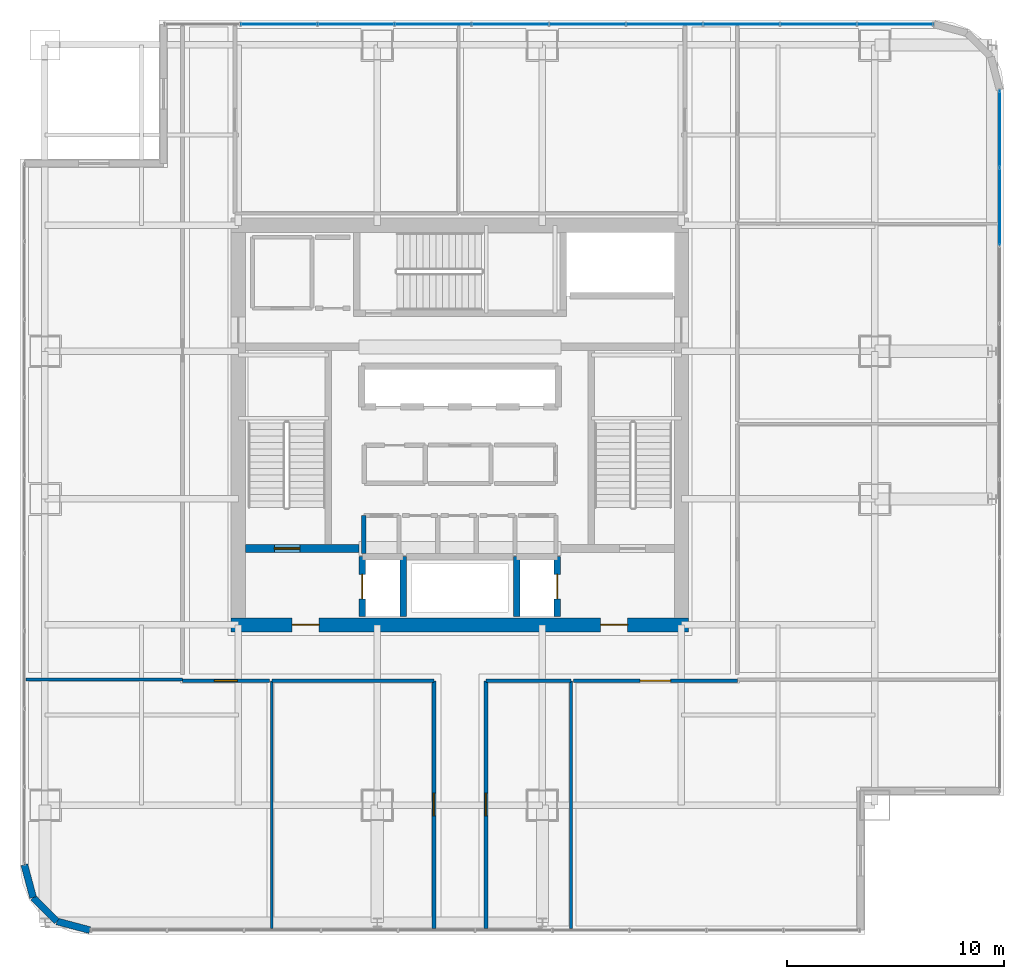
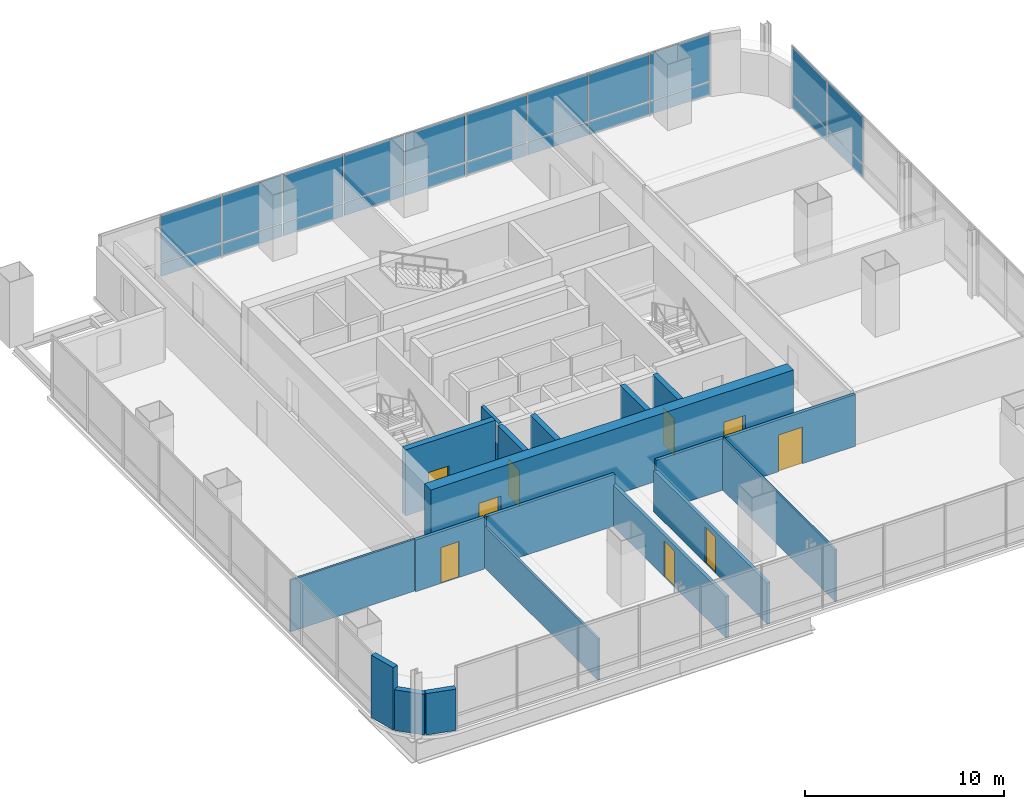
# One storey, part 29 of 36: 22 plates, 19 walls, 9 doors, 9 openings, 2 elements without a shape of their own.
"""IFC4 building model written with IfcOpenShell, lengths in metres."""

from ifc_helpers import new_model, si_unit, direction, frame, frame_2d, origin, origin_2d, place, context, subcontext, project, spatial, rectangle, extrude, material, layer, layer_set, type_object, element, fill, aggregate, save


model = new_model("IFC4")

# Units and contexts
model_context = context("Model", 3, precision=1e-05, world=origin(), true_north=direction((0.0, 1.0)))
body_context = subcontext(model_context, "Body", "Model", "MODEL_VIEW")
ifc_project = project(units=[si_unit("LENGTHUNIT", "METRE"), si_unit("AREAUNIT", "SQUARE_METRE"), si_unit("VOLUMEUNIT", "CUBIC_METRE"), si_unit("PLANEANGLEUNIT", "RADIAN"), si_unit("MASSUNIT", "GRAM", prefix="KILO")], contexts=[model_context])

# Site, building, storey
site_placement = place(None, origin())
site = spatial("IfcSite", under=ifc_project, at=site_placement, CompositionType="ELEMENT")
building_placement = place(site_placement, origin())
building = spatial("IfcBuilding", under=site, at=building_placement, Name="Punatoya Terracotta Tower", CompositionType="ELEMENT")
storey_placement = place(building_placement, frame((0.0, 0.0, 228.89990234375)))
storey = spatial("IfcBuildingStorey", under=building, at=storey_placement, Name="L54", CompositionType="ELEMENT", Elevation=228.89990234375)

# Curtain wall, plates
ifc_material_1 = material(Name="Aluminium 6063-T6 + Double Low-E Glass", Category="aluminium")
curtain_wall_type = type_object("IfcCurtainWallType", Name="CW-M2", PredefinedType="NOTDEFINED", material=ifc_material_1)
curtain_wall_1_placement = place(storey_placement, origin())
curtain_wall_1 = element("IfcCurtainWall", 1, at=curtain_wall_1_placement, inside=storey, type_object=curtain_wall_type, Name="L54 Curtain Wall CW-L54-E04-1", PredefinedType="NOTDEFINED")
ifc_material_2 = material(Name="Double Low-E Acoustic Vision Glass", Category="glass")
ifc_layer_1 = layer(ifc_material_2, 0.031982421875)
ifc_layer_set_1 = layer_set([ifc_layer_1], Name="Double Low-E Acoustic Vision Glass")
plate_type_1 = type_object("IfcPlateType", Name="PLT-GLZ-32", PredefinedType="CURTAIN_PANEL", material=ifc_layer_set_1)
plate_1_placement = place(storey_placement, frame((24.85009765625, 10.0556640625, 0.89013671875), z_axis=(0.0, 0.0, 1.0), x_axis=(0.0, 1.0, 0.0)))
plate_1 = element("IfcPlate", 2, at=plate_1_placement, type_object=plate_type_1, Name="CW-L54-E04-1 Vision Glass Panel 8", PredefinedType="CURTAIN_PANEL", context=body_context, shape_type="SweptSolid", body=[
    extrude(rectangle(XDim=3.50244140625, YDim=0.031982421875, at=origin_2d()), origin(), (0.0, 0.0, 1.0), 2.89990234375),
])
plate_2_placement = place(storey_placement, frame((24.85009765625, 13.643310546875, 0.89013671875), z_axis=(0.0, 0.0, 1.0), x_axis=(0.0, 1.0, 0.0)))
plate_2 = element("IfcPlate", 3, at=plate_2_placement, type_object=plate_type_1, Name="CW-L54-E04-1 Vision Glass Panel 9", PredefinedType="CURTAIN_PANEL", context=body_context, shape_type="SweptSolid", body=[
    extrude(rectangle(XDim=3.50244140625, YDim=0.031982421875, at=origin_2d()), origin(), (0.0, 0.0, 1.0), 2.89990234375),
])

curtain_wall_2_placement = place(storey_placement, origin())
curtain_wall_2 = element("IfcCurtainWall", 4, at=curtain_wall_2_placement, inside=storey, type_object=curtain_wall_type, Name="L54 Curtain Wall CW-L54-N08-1", PredefinedType="NOTDEFINED")
plate_3_placement = place(storey_placement, frame((20.0625, 18.449951171875, 0.89013671875), z_axis=(0.0, 0.0, 1.0), x_axis=(-1.0, 0.0, 0.0)))
plate_3 = element("IfcPlate", 5, at=plate_3_placement, type_object=plate_type_1, Name="CW-L54-N08-1 Vision Glass Panel 1", PredefinedType="CURTAIN_PANEL", context=body_context, shape_type="SweptSolid", body=[
    extrude(rectangle(XDim=3.463623046875, YDim=0.031982421875, at=origin_2d()), origin(), (0.0, 0.0, 1.0), 2.89990234375),
])
plate_4_placement = place(storey_placement, frame((16.513916015625, 18.449951171875, 0.89013671875), z_axis=(0.0, 0.0, 1.0), x_axis=(-1.0, 0.0, 0.0)))
plate_4 = element("IfcPlate", 6, at=plate_4_placement, type_object=plate_type_1, Name="CW-L54-N08-1 Vision Glass Panel 2", PredefinedType="CURTAIN_PANEL", context=body_context, shape_type="SweptSolid", body=[
    extrude(rectangle(XDim=3.463623046875, YDim=0.031982421875, at=origin_2d()), origin(), (0.0, 0.0, 1.0), 2.89990234375),
])
plate_5_placement = place(storey_placement, frame((12.965087890625, 18.449951171875, 0.89013671875), z_axis=(0.0, 0.0, 1.0), x_axis=(-1.0, 0.0, 0.0)))
plate_5 = element("IfcPlate", 7, at=plate_5_placement, type_object=plate_type_1, Name="CW-L54-N08-1 Vision Glass Panel 3", PredefinedType="CURTAIN_PANEL", context=body_context, shape_type="SweptSolid", body=[
    extrude(rectangle(XDim=3.463623046875, YDim=0.031982421875, at=origin_2d()), origin(), (0.0, 0.0, 1.0), 2.89990234375),
])
plate_6_placement = place(storey_placement, frame((9.41650390625, 18.449951171875, 0.89013671875), z_axis=(0.0, 0.0, 1.0), x_axis=(-1.0, 0.0, 0.0)))
plate_6 = element("IfcPlate", 8, at=plate_6_placement, type_object=plate_type_1, Name="CW-L54-N08-1 Vision Glass Panel 4", PredefinedType="CURTAIN_PANEL", context=body_context, shape_type="SweptSolid", body=[
    extrude(rectangle(XDim=3.463623046875, YDim=0.031982421875, at=origin_2d()), origin(), (0.0, 0.0, 1.0), 2.89990234375),
])
plate_7_placement = place(storey_placement, frame((5.867919921875, 18.449951171875, 0.89013671875), z_axis=(0.0, 0.0, 1.0), x_axis=(-1.0, 0.0, 0.0)))
plate_7 = element("IfcPlate", 9, at=plate_7_placement, type_object=plate_type_1, Name="CW-L54-N08-1 Vision Glass Panel 5", PredefinedType="CURTAIN_PANEL", context=body_context, shape_type="SweptSolid", body=[
    extrude(rectangle(XDim=3.463623046875, YDim=0.031982421875, at=origin_2d()), origin(), (0.0, 0.0, 1.0), 2.89990234375),
])
plate_8_placement = place(storey_placement, frame((2.319091796875, 18.449951171875, 0.89013671875), z_axis=(0.0, 0.0, 1.0), x_axis=(-1.0, 0.0, 0.0)))
plate_8 = element("IfcPlate", 10, at=plate_8_placement, type_object=plate_type_1, Name="CW-L54-N08-1 Vision Glass Panel 6", PredefinedType="CURTAIN_PANEL", context=body_context, shape_type="SweptSolid", body=[
    extrude(rectangle(XDim=3.463623046875, YDim=0.031982421875, at=origin_2d()), origin(), (0.0, 0.0, 1.0), 2.89990234375),
])
plate_9_placement = place(storey_placement, frame((-1.2294921875, 18.449951171875, 0.89013671875), z_axis=(0.0, 0.0, 1.0), x_axis=(-1.0, 0.0, 0.0)))
plate_9 = element("IfcPlate", 11, at=plate_9_placement, type_object=plate_type_1, Name="CW-L54-N08-1 Vision Glass Panel 7", PredefinedType="CURTAIN_PANEL", context=body_context, shape_type="SweptSolid", body=[
    extrude(rectangle(XDim=3.463623046875, YDim=0.031982421875, at=origin_2d()), origin(), (0.0, 0.0, 1.0), 2.89990234375),
])
plate_10_placement = place(storey_placement, frame((-4.7783203125, 18.449951171875, 0.89013671875), z_axis=(0.0, 0.0, 1.0), x_axis=(-1.0, 0.0, 0.0)))
plate_10 = element("IfcPlate", 12, at=plate_10_placement, type_object=plate_type_1, Name="CW-L54-N08-1 Vision Glass Panel 8", PredefinedType="CURTAIN_PANEL", context=body_context, shape_type="SweptSolid", body=[
    extrude(rectangle(XDim=3.463623046875, YDim=0.031982421875, at=origin_2d()), origin(), (0.0, 0.0, 1.0), 2.89990234375),
])
plate_11_placement = place(storey_placement, frame((-8.326904296875, 18.449951171875, 0.89013671875), z_axis=(0.0, 0.0, 1.0), x_axis=(-1.0, 0.0, 0.0)))
plate_11 = element("IfcPlate", 13, at=plate_11_placement, type_object=plate_type_1, Name="CW-L54-N08-1 Vision Glass Panel 9", PredefinedType="CURTAIN_PANEL", context=body_context, shape_type="SweptSolid", body=[
    extrude(rectangle(XDim=3.463623046875, YDim=0.031982421875, at=origin_2d()), origin(), (0.0, 0.0, 1.0), 2.89990234375),
])

# Plate
ifc_material_3 = material(Name="Insulated Terracotta-Backed Spandrel Panel", Category="masonry")
ifc_layer_2 = layer(ifc_material_3, 0.044921875)
ifc_layer_set_2 = layer_set([ifc_layer_2], Name="Insulated Terracotta-Backed Spandrel Panel")
plate_type_2 = type_object("IfcPlateType", Name="PLT-SPN-45", PredefinedType="CURTAIN_PANEL", material=ifc_layer_set_2)
plate_12_placement = place(storey_placement, frame((24.85009765625, 10.0556640625, 0.0400390625), z_axis=(0.0, 0.0, 1.0), x_axis=(0.0, 1.0, 0.0)))
plate_12 = element("IfcPlate", 14, at=plate_12_placement, type_object=plate_type_2, Name="CW-L54-E04-1 Terracotta Spandrel Panel 8", PredefinedType="CURTAIN_PANEL", context=body_context, shape_type="SweptSolid", body=[
    extrude(rectangle(XDim=3.50244140625, YDim=0.044921875, at=origin_2d()), origin(), (0.0, 0.0, 1.0), 0.77490234375),
])

plate_13_placement = place(storey_placement, frame((24.85009765625, 13.643310546875, 0.0400390625), z_axis=(0.0, 0.0, 1.0), x_axis=(0.0, 1.0, 0.0)))
plate_13 = element("IfcPlate", 15, at=plate_13_placement, type_object=plate_type_2, Name="CW-L54-E04-1 Terracotta Spandrel Panel 9", PredefinedType="CURTAIN_PANEL", context=body_context, shape_type="SweptSolid", body=[
    extrude(rectangle(XDim=3.50244140625, YDim=0.044921875, at=origin_2d()), origin(), (0.0, 0.0, 1.0), 0.77490234375),
])

aggregate(curtain_wall_1, [plate_12, plate_1, plate_13, plate_2])

plate_14_placement = place(storey_placement, frame((20.0625, 18.449951171875, 0.0400390625), z_axis=(0.0, 0.0, 1.0), x_axis=(-1.0, 0.0, 0.0)))
plate_14 = element("IfcPlate", 16, at=plate_14_placement, type_object=plate_type_2, Name="CW-L54-N08-1 Terracotta Spandrel Panel 1", PredefinedType="CURTAIN_PANEL", context=body_context, shape_type="SweptSolid", body=[
    extrude(rectangle(XDim=3.463623046875, YDim=0.044921875, at=origin_2d()), origin(), (0.0, 0.0, 1.0), 0.77490234375),
])

plate_15_placement = place(storey_placement, frame((16.513916015625, 18.449951171875, 0.0400390625), z_axis=(0.0, 0.0, 1.0), x_axis=(-1.0, 0.0, 0.0)))
plate_15 = element("IfcPlate", 17, at=plate_15_placement, type_object=plate_type_2, Name="CW-L54-N08-1 Terracotta Spandrel Panel 2", PredefinedType="CURTAIN_PANEL", context=body_context, shape_type="SweptSolid", body=[
    extrude(rectangle(XDim=3.463623046875, YDim=0.044921875, at=origin_2d()), origin(), (0.0, 0.0, 1.0), 0.77490234375),
])

plate_16_placement = place(storey_placement, frame((12.965087890625, 18.449951171875, 0.0400390625), z_axis=(0.0, 0.0, 1.0), x_axis=(-1.0, 0.0, 0.0)))
plate_16 = element("IfcPlate", 18, at=plate_16_placement, type_object=plate_type_2, Name="CW-L54-N08-1 Terracotta Spandrel Panel 3", PredefinedType="CURTAIN_PANEL", context=body_context, shape_type="SweptSolid", body=[
    extrude(rectangle(XDim=3.463623046875, YDim=0.044921875, at=origin_2d()), origin(), (0.0, 0.0, 1.0), 0.77490234375),
])

plate_17_placement = place(storey_placement, frame((9.41650390625, 18.449951171875, 0.0400390625), z_axis=(0.0, 0.0, 1.0), x_axis=(-1.0, 0.0, 0.0)))
plate_17 = element("IfcPlate", 19, at=plate_17_placement, type_object=plate_type_2, Name="CW-L54-N08-1 Terracotta Spandrel Panel 4", PredefinedType="CURTAIN_PANEL", context=body_context, shape_type="SweptSolid", body=[
    extrude(rectangle(XDim=3.463623046875, YDim=0.044921875, at=origin_2d()), origin(), (0.0, 0.0, 1.0), 0.77490234375),
])

plate_18_placement = place(storey_placement, frame((5.867919921875, 18.449951171875, 0.0400390625), z_axis=(0.0, 0.0, 1.0), x_axis=(-1.0, 0.0, 0.0)))
plate_18 = element("IfcPlate", 20, at=plate_18_placement, type_object=plate_type_2, Name="CW-L54-N08-1 Terracotta Spandrel Panel 5", PredefinedType="CURTAIN_PANEL", context=body_context, shape_type="SweptSolid", body=[
    extrude(rectangle(XDim=3.463623046875, YDim=0.044921875, at=origin_2d()), origin(), (0.0, 0.0, 1.0), 0.77490234375),
])

plate_19_placement = place(storey_placement, frame((2.319091796875, 18.449951171875, 0.0400390625), z_axis=(0.0, 0.0, 1.0), x_axis=(-1.0, 0.0, 0.0)))
plate_19 = element("IfcPlate", 21, at=plate_19_placement, type_object=plate_type_2, Name="CW-L54-N08-1 Terracotta Spandrel Panel 6", PredefinedType="CURTAIN_PANEL", context=body_context, shape_type="SweptSolid", body=[
    extrude(rectangle(XDim=3.463623046875, YDim=0.044921875, at=origin_2d()), origin(), (0.0, 0.0, 1.0), 0.77490234375),
])

plate_20_placement = place(storey_placement, frame((-1.2294921875, 18.449951171875, 0.0400390625), z_axis=(0.0, 0.0, 1.0), x_axis=(-1.0, 0.0, 0.0)))
plate_20 = element("IfcPlate", 22, at=plate_20_placement, type_object=plate_type_2, Name="CW-L54-N08-1 Terracotta Spandrel Panel 7", PredefinedType="CURTAIN_PANEL", context=body_context, shape_type="SweptSolid", body=[
    extrude(rectangle(XDim=3.463623046875, YDim=0.044921875, at=origin_2d()), origin(), (0.0, 0.0, 1.0), 0.77490234375),
])

plate_21_placement = place(storey_placement, frame((-4.7783203125, 18.449951171875, 0.0400390625), z_axis=(0.0, 0.0, 1.0), x_axis=(-1.0, 0.0, 0.0)))
plate_21 = element("IfcPlate", 23, at=plate_21_placement, type_object=plate_type_2, Name="CW-L54-N08-1 Terracotta Spandrel Panel 8", PredefinedType="CURTAIN_PANEL", context=body_context, shape_type="SweptSolid", body=[
    extrude(rectangle(XDim=3.463623046875, YDim=0.044921875, at=origin_2d()), origin(), (0.0, 0.0, 1.0), 0.77490234375),
])

plate_22_placement = place(storey_placement, frame((-8.326904296875, 18.449951171875, 0.0400390625), z_axis=(0.0, 0.0, 1.0), x_axis=(-1.0, 0.0, 0.0)))
plate_22 = element("IfcPlate", 24, at=plate_22_placement, type_object=plate_type_2, Name="CW-L54-N08-1 Terracotta Spandrel Panel 9", PredefinedType="CURTAIN_PANEL", context=body_context, shape_type="SweptSolid", body=[
    extrude(rectangle(XDim=3.463623046875, YDim=0.044921875, at=origin_2d()), origin(), (0.0, 0.0, 1.0), 0.77490234375),
])

aggregate(curtain_wall_2, [plate_14, plate_3, plate_15, plate_4, plate_16, plate_5, plate_17, plate_6, plate_18, plate_7, plate_19, plate_8, plate_20, plate_9, plate_21, plate_10, plate_22, plate_11])

# Wall, openings, doors
ifc_material_4 = material(Name="Concrete C60/75", Category="concrete")
ifc_layer_3 = layer(ifc_material_4, 0.64990234375)
ifc_layer_set_3 = layer_set([ifc_layer_3], Name="Concrete C60/75")
wall_type_1 = type_object("IfcWallType", Name="WL-COR-650", PredefinedType="SHEAR", material=ifc_layer_set_3)
wall_1_placement = place(storey_placement, frame((10.52490234375, -9.199951171875, 0.0), z_axis=(0.0, 0.0, 1.0), x_axis=(-1.0, 0.0, 0.0)))
wall_1 = element("IfcWall", 25, at=wall_1_placement, inside=storey, type_object=wall_type_1, Name="L54 Core Shear Wall S", PredefinedType="SHEAR", context=body_context, shape_type="SweptSolid", body=[
    extrude(rectangle(XDim=21.0498046875, YDim=0.64990234375, at=frame_2d((10.52490234375, 0.0))), origin(), (0.0, 0.0, 1.0), 4.050048828125),
])
opening_1_placement = place(wall_1_placement, frame((2.800048828125, 0.0, 0.0)))
opening_1 = element("IfcOpeningElement", 26, at=opening_1_placement, cuts=wall_1, Name="Opening FD-L1", PredefinedType="OPENING", context=body_context, shape_type="SweptSolid", body=[
    extrude(rectangle(XDim=1.25, YDim=2.25, at=frame_2d((0.625, 1.125))), frame((0.0, 0.3349609375, 0.0), z_axis=(0.0, -1.0, 0.0), x_axis=(1.0, 0.0, 0.0)), (0.0, 0.0, 1.0), 0.669921875),
])
opening_2_placement = place(wall_1_placement, frame((17.0, 0.0, 0.0)))
opening_2 = element("IfcOpeningElement", 27, at=opening_2_placement, cuts=wall_1, Name="Opening FD-L1", PredefinedType="OPENING", context=body_context, shape_type="SweptSolid", body=[
    extrude(rectangle(XDim=1.25, YDim=2.25, at=frame_2d((0.625, 1.125))), frame((0.0, 0.3349609375, 0.0), z_axis=(0.0, -1.0, 0.0), x_axis=(1.0, 0.0, 0.0)), (0.0, 0.0, 1.0), 0.669921875),
])
ifc_material_5 = material(Name="Galvanised Steel Smokeproof Fire Door", Category="steel")
door_type_1 = type_object("IfcDoorType", Name="DR-FFL-1250", OperationType="NOTDEFINED", PredefinedType="DOOR", material=ifc_material_5)
door_1_placement = place(opening_1_placement, origin())
door_1 = element("IfcDoor", 28, at=door_1_placement, inside=storey, type_object=door_type_1, Name="L54 East Firefighting Lobby Corridor Fire Door", OperationType="SINGLE_SWING_LEFT", OverallHeight=2.25, OverallWidth=1.25, PredefinedType="DOOR", context=body_context, shape_type="SweptSolid", body=[
    extrude(rectangle(XDim=1.25, YDim=2.25, at=frame_2d((0.625, 1.125))), frame((0.0, 0.02490234375, 0.0), z_axis=(0.0, -1.0, 0.0), x_axis=(1.0, 0.0, 0.0)), (0.0, 0.0, 1.0), 0.050048828125),
])
fill(opening_1, door_1)
door_2_placement = place(opening_2_placement, origin())
door_2 = element("IfcDoor", 29, at=door_2_placement, inside=storey, type_object=door_type_1, Name="L54 West Firefighting Lobby Corridor Fire Door", OperationType="SINGLE_SWING_RIGHT", OverallHeight=2.25, OverallWidth=1.25, PredefinedType="DOOR", context=body_context, shape_type="SweptSolid", body=[
    extrude(rectangle(XDim=1.25, YDim=2.25, at=frame_2d((0.625, 1.125))), frame((0.0, 0.02490234375, 0.0), z_axis=(0.0, -1.0, 0.0), x_axis=(1.0, 0.0, 0.0)), (0.0, 0.0, 1.0), 0.050048828125),
])
fill(opening_2, door_2)

# Wall, opening, door
ifc_material_6 = material(Name="Gypsum Fireboard + Steel Stud", Category="steel")
ifc_layer_4 = layer(ifc_material_6, 0.179931640625)
ifc_layer_set_4 = layer_set([ifc_layer_4], Name="Gypsum Fireboard + Steel Stud")
wall_type_2 = type_object("IfcWallType", Name="WL-CORR-180", PredefinedType="PARTITIONING", material=ifc_layer_set_4)
wall_2_placement = place(storey_placement, frame((-1.199951171875, -11.77001953125, 0.0), z_axis=(0.0, 0.0, 1.0), x_axis=(0.0, -1.0, 0.0)))
wall_2 = element("IfcWall", 30, at=wall_2_placement, inside=storey, type_object=wall_type_2, Name="L54 Open Workplace Studio Partition 28", PredefinedType="PARTITIONING", context=body_context, shape_type="SweptSolid", body=[
    extrude(rectangle(XDim=11.39990234375, YDim=0.179931640625, at=frame_2d((5.699951171875, 0.0))), origin(), (0.0, 0.0, 1.0), 2.544189453125),
])
opening_3_placement = place(wall_2_placement, frame((5.175048828125, 0.0, 0.0)))
opening_3 = element("IfcOpeningElement", 31, at=opening_3_placement, cuts=wall_2, Name="Opening OD-01", PredefinedType="OPENING", context=body_context, shape_type="SweptSolid", body=[
    extrude(rectangle(XDim=1.050048828125, YDim=2.199951171875, at=frame_2d((0.52490234375, 1.10009765625))), frame((0.0, 0.099853515625, 0.0), z_axis=(0.0, -1.0, 0.0), x_axis=(1.0, 0.0, 0.0)), (0.0, 0.0, 1.0), 0.199951171875),
])
ifc_material_7 = material(Name="Bengal Teak Solid-Core Leaf")
door_type_2 = type_object("IfcDoorType", Name="DR-OFF-1050", OperationType="NOTDEFINED", PredefinedType="DOOR", material=ifc_material_7)
door_3_placement = place(opening_3_placement, origin())
door_3 = element("IfcDoor", 32, at=door_3_placement, inside=storey, type_object=door_type_2, Name="L54 Open Workplace Studio Door", OperationType="SINGLE_SWING_RIGHT", OverallHeight=2.199951171875, OverallWidth=1.050048828125, PredefinedType="DOOR", context=body_context, shape_type="SweptSolid", body=[
    extrude(rectangle(XDim=1.050048828125, YDim=2.199951171875, at=frame_2d((0.52490234375, 1.10009765625))), frame((0.0, 0.02490234375, 0.0), z_axis=(0.0, -1.0, 0.0), x_axis=(1.0, 0.0, 0.0)), (0.0, 0.0, 1.0), 0.050048828125),
])
fill(opening_3, door_3)

# Wall
wall_3_placement = place(storey_placement, frame((-8.652099609375, -11.77001953125, 0.0), z_axis=(0.0, 0.0, 1.0), x_axis=(1.0, 0.0, 0.0)))
element("IfcWall", 33, at=wall_3_placement, inside=storey, type_object=wall_type_2, Name="L54 Open Workplace Studio Partition 30", PredefinedType="PARTITIONING", context=body_context, shape_type="SweptSolid", body=[
    extrude(rectangle(XDim=7.4521484375, YDim=0.179931640625, at=frame_2d((3.72607421875, 0.0))), origin(), (0.0, 0.0, 1.0), 3.174072265625),
])

# Wall, opening, door
wall_4_placement = place(storey_placement, frame((1.199951171875, -23.169921875, 0.0), z_axis=(0.0, 0.0, 1.0), x_axis=(0.0, 1.0, 0.0)))
wall_4 = element("IfcWall", 34, at=wall_4_placement, inside=storey, type_object=wall_type_2, Name="L54 Open-Plan Analytical Practice Office Partition 31", PredefinedType="PARTITIONING", context=body_context, shape_type="SweptSolid", body=[
    extrude(rectangle(XDim=11.39990234375, YDim=0.179931640625, at=frame_2d((5.699951171875, 0.0))), origin(), (0.0, 0.0, 1.0), 2.544189453125),
])
opening_4_placement = place(wall_4_placement, frame((5.175048828125, 0.0, 0.0)))
opening_4 = element("IfcOpeningElement", 35, at=opening_4_placement, cuts=wall_4, Name="Opening OD-01", PredefinedType="OPENING", context=body_context, shape_type="SweptSolid", body=[
    extrude(rectangle(XDim=1.050048828125, YDim=2.199951171875, at=frame_2d((0.52490234375, 1.10009765625))), frame((0.0, 0.099853515625, 0.0), z_axis=(0.0, -1.0, 0.0), x_axis=(1.0, 0.0, 0.0)), (0.0, 0.0, 1.0), 0.199951171875),
])
door_4_placement = place(opening_4_placement, origin())
door_4 = element("IfcDoor", 36, at=door_4_placement, inside=storey, type_object=door_type_2, Name="L54 Open-Plan Analytical Practice Office Door", OperationType="SINGLE_SWING_LEFT", OverallHeight=2.199951171875, OverallWidth=1.050048828125, PredefinedType="DOOR", context=body_context, shape_type="SweptSolid", body=[
    extrude(rectangle(XDim=1.050048828125, YDim=2.199951171875, at=frame_2d((0.52490234375, 1.10009765625))), frame((0.0, 0.02490234375, 0.0), z_axis=(0.0, -1.0, 0.0), x_axis=(1.0, 0.0, 0.0)), (0.0, 0.0, 1.0), 0.050048828125),
])
fill(opening_4, door_4)

# Wall
wall_5_placement = place(storey_placement, frame((1.199951171875, -11.77001953125, 0.0), z_axis=(0.0, 0.0, 1.0), x_axis=(1.0, 0.0, 0.0)))
element("IfcWall", 37, at=wall_5_placement, inside=storey, type_object=wall_type_2, Name="L54 Open-Plan Analytical Practice Office Partition 32", PredefinedType="PARTITIONING", context=body_context, shape_type="SweptSolid", body=[
    extrude(rectangle(XDim=3.91796875, YDim=0.179931640625, at=frame_2d((1.958984375, 0.0))), origin(), (0.0, 0.0, 1.0), 3.174072265625),
])

# Wall, opening, door
wall_6_placement = place(storey_placement, frame((-12.77001953125, -11.77001953125, 0.0), z_axis=(0.0, 0.0, 1.0), x_axis=(1.0, 0.0, 0.0)))
wall_6 = element("IfcWall", 38, at=wall_6_placement, inside=storey, type_object=wall_type_2, Name="L54 Open-Plan Project Design Office Partition 35", PredefinedType="PARTITIONING", context=body_context, shape_type="SweptSolid", body=[
    extrude(rectangle(XDim=3.998046875, YDim=0.179931640625, at=frame_2d((1.9990234375, 0.0))), origin(), (0.0, 0.0, 1.0), 3.174072265625),
])
opening_5_placement = place(wall_6_placement, frame((1.47412109375, 0.0, 0.0)))
opening_5 = element("IfcOpeningElement", 39, at=opening_5_placement, cuts=wall_6, Name="Opening OD-01", PredefinedType="OPENING", context=body_context, shape_type="SweptSolid", body=[
    extrude(rectangle(XDim=1.050048828125, YDim=2.199951171875, at=frame_2d((0.52490234375, 1.10009765625))), frame((0.0, 0.099853515625, 0.0), z_axis=(0.0, -1.0, 0.0), x_axis=(1.0, 0.0, 0.0)), (0.0, 0.0, 1.0), 0.199951171875),
])
door_5_placement = place(opening_5_placement, origin())
door_5 = element("IfcDoor", 40, at=door_5_placement, inside=storey, type_object=door_type_2, Name="L54 Open-Plan Project Design Office Door", OperationType="SINGLE_SWING_RIGHT", OverallHeight=2.199951171875, OverallWidth=1.050048828125, PredefinedType="DOOR", context=body_context, shape_type="SweptSolid", body=[
    extrude(rectangle(XDim=1.050048828125, YDim=2.199951171875, at=frame_2d((0.52490234375, 1.10009765625))), frame((0.0, 0.02490234375, 0.0), z_axis=(0.0, -1.0, 0.0), x_axis=(1.0, 0.0, 0.0)), (0.0, 0.0, 1.0), 0.050048828125),
])
fill(opening_5, door_5)

wall_7_placement = place(storey_placement, frame((5.238037109375, -11.77001953125, 0.0), z_axis=(0.0, 0.0, 1.0), x_axis=(1.0, 0.0, 0.0)))
wall_7 = element("IfcWall", 41, at=wall_7_placement, inside=storey, type_object=wall_type_2, Name="L54 Client Strategy Boardroom Partition 36", PredefinedType="PARTITIONING", context=body_context, shape_type="SweptSolid", body=[
    extrude(rectangle(XDim=7.531982421875, YDim=0.179931640625, at=frame_2d((3.76611328125, 0.0))), origin(), (0.0, 0.0, 1.0), 3.174072265625),
])
opening_6_placement = place(wall_7_placement, frame((3.06591796875, 0.0, 0.0)))
opening_6 = element("IfcOpeningElement", 42, at=opening_6_placement, cuts=wall_7, Name="Opening BD-01", PredefinedType="OPENING", context=body_context, shape_type="SweptSolid", body=[
    extrude(rectangle(XDim=1.39990234375, YDim=2.25, at=frame_2d((0.699951171875, 1.125))), frame((0.0, 0.099853515625, 0.0), z_axis=(0.0, -1.0, 0.0), x_axis=(1.0, 0.0, 0.0)), (0.0, 0.0, 1.0), 0.199951171875),
])
ifc_material_8 = material(Name="Bengal Teak Acoustic Leaf")
door_type_3 = type_object("IfcDoorType", Name="DR-BRD-1400", OperationType="NOTDEFINED", PredefinedType="DOOR", material=ifc_material_8)
door_6_placement = place(opening_6_placement, origin())
door_6 = element("IfcDoor", 43, at=door_6_placement, inside=storey, type_object=door_type_3, Name="L54 Client Strategy Boardroom Door", OperationType="SINGLE_SWING_LEFT", OverallHeight=2.25, OverallWidth=1.39990234375, PredefinedType="DOOR", context=body_context, shape_type="SweptSolid", body=[
    extrude(rectangle(XDim=1.39990234375, YDim=2.25, at=frame_2d((0.699951171875, 1.125))), frame((0.0, 0.02490234375, 0.0), z_axis=(0.0, -1.0, 0.0), x_axis=(1.0, 0.0, 0.0)), (0.0, 0.0, 1.0), 0.050048828125),
])
fill(opening_6, door_6)

# Walls
ifc_material_9 = material(Name="Precast concrete C40/50", Category="concrete")
ifc_layer_5 = layer(ifc_material_9, 0.320068359375)
ifc_layer_set_5 = layer_set([ifc_layer_5], Name="Precast concrete C40/50")
wall_type_3 = type_object("IfcWallType", Name="WL-EXT-320", PredefinedType="SOLIDWALL", material=ifc_layer_set_5)
wall_8_placement = place(storey_placement, frame((-20.050048828125, -20.23681640625, 0.0), z_axis=(0.0, 0.0, 1.0), x_axis=(0.257847112249, -0.966185730957, 0.0)))
element("IfcWall", 44, at=wall_8_placement, inside=storey, type_object=wall_type_3, Name="L54 Rounded Terracotta Corner Pier 12", PredefinedType="SOLIDWALL", context=body_context, shape_type="SweptSolid", body=[
    extrude(rectangle(XDim=1.565185546875, YDim=0.320068359375, at=frame_2d((0.78271484375, 0.0))), origin(), (0.0, 0.0, 1.0), 3.830078125),
])
wall_9_placement = place(storey_placement, frame((-19.646484375, -21.7490234375, 0.0), z_axis=(0.0, 0.0, 1.0), x_axis=(0.707028130747, -0.707185422879, 0.0)))
element("IfcWall", 45, at=wall_9_placement, inside=storey, type_object=wall_type_3, Name="L54 Rounded Terracotta Corner Pier 13", PredefinedType="SOLIDWALL", context=body_context, shape_type="SweptSolid", body=[
    extrude(rectangle(XDim=1.55224609375, YDim=0.320068359375, at=frame_2d((0.776123046875, 0.0))), origin(), (0.0, 0.0, 1.0), 2.504150390625),
])
wall_10_placement = place(storey_placement, frame((-18.549072265625, -22.8466796875, 0.0), z_axis=(0.0, 0.0, 1.0), x_axis=(0.966224582397, -0.257701486942, 0.0)))
element("IfcWall", 46, at=wall_10_placement, inside=storey, type_object=wall_type_3, Name="L54 Rounded Terracotta Corner Pier 14", PredefinedType="SOLIDWALL", context=body_context, shape_type="SweptSolid", body=[
    extrude(rectangle(XDim=1.565185546875, YDim=0.320068359375, at=frame_2d((0.78271484375, 0.0))), origin(), (0.0, 0.0, 1.0), 2.544189453125),
])
ifc_material_10 = material(Name="Concrete C40/50", Category="concrete")
ifc_layer_6 = layer(ifc_material_10, 0.199951171875)
ifc_layer_set_6 = layer_set([ifc_layer_6], Name="Concrete C40/50")
wall_type_4 = type_object("IfcWallType", Name="WL-INT-200", PredefinedType="SOLIDWALL", material=ifc_layer_set_6)
wall_11_placement = place(storey_placement, frame((-4.419921875, -4.159912109375, 0.0), z_axis=(0.0, 0.0, 1.0), x_axis=(0.0, -1.0, 0.0)))
element("IfcWall", 47, at=wall_11_placement, inside=storey, type_object=wall_type_4, Name="L54 Core Tea Pantry Partition 03", PredefinedType="SOLIDWALL", context=body_context, shape_type="SweptSolid", body=[
    extrude(rectangle(XDim=1.739990234375, YDim=0.199951171875, at=frame_2d((0.8701171875, 0.0))), origin(), (0.0, 0.0, 1.0), 3.830078125),
])
ifc_material_11 = material(Name="Gypsum Partition + Steel Stud", Category="steel")
ifc_layer_7 = layer(ifc_material_11, 0.1201171875)
ifc_layer_set_7 = layer_set([ifc_layer_7], Name="Gypsum Partition + Steel Stud")
wall_type_5 = type_object("IfcWallType", Name="WL-OFF-120", PredefinedType="PARTITIONING", material=ifc_layer_set_7)
wall_12_placement = place(storey_placement, frame((-8.652099609375, -23.169921875, 0.0), z_axis=(0.0, 0.0, 1.0), x_axis=(0.0, 1.0, 0.0)))
element("IfcWall", 48, at=wall_12_placement, inside=storey, type_object=wall_type_5, Name="L54 Open Workplace Studio Partition 29", PredefinedType="PARTITIONING", context=body_context, shape_type="SweptSolid", body=[
    extrude(rectangle(XDim=11.39990234375, YDim=0.1201171875, at=frame_2d((5.699951171875, 0.0))), origin(), (0.0, 0.0, 1.0), 2.544189453125),
])
wall_13_placement = place(storey_placement, frame((5.117919921875, -11.77001953125, 0.0), z_axis=(0.0, 0.0, 1.0), x_axis=(0.0, -1.0, 0.0)))
element("IfcWall", 49, at=wall_13_placement, inside=storey, type_object=wall_type_5, Name="L54 Open-Plan Analytical Practice Office Partition 33", PredefinedType="PARTITIONING", context=body_context, shape_type="SweptSolid", body=[
    extrude(rectangle(XDim=11.39990234375, YDim=0.1201171875, at=frame_2d((5.699951171875, 0.0))), origin(), (0.0, 0.0, 1.0), 3.174072265625),
])
wall_14_placement = place(storey_placement, frame((-19.969970703125, -11.7099609375, 0.0), z_axis=(0.0, 0.0, 1.0), x_axis=(1.0, 0.0, 0.0)))
element("IfcWall", 50, at=wall_14_placement, inside=storey, type_object=wall_type_5, Name="L54 Open-Plan Project Design Office Partition 34", PredefinedType="PARTITIONING", context=body_context, shape_type="SweptSolid", body=[
    extrude(rectangle(XDim=7.199951171875, YDim=0.1201171875, at=frame_2d((3.60009765625, 0.0))), origin(), (0.0, 0.0, 1.0), 3.174072265625),
])

# Wall, opening, door
ifc_layer_8 = layer(ifc_material_10, 0.300048828125)
ifc_layer_set_8 = layer_set([ifc_layer_8], Name="Concrete C40/50")
wall_type_6 = type_object("IfcWallType", Name="WL-SHF-300", PredefinedType="SOLIDWALL", material=ifc_layer_set_8)
wall_15_placement = place(storey_placement, frame((-4.489990234375, -8.820068359375, 0.0), z_axis=(0.0, 0.0, 1.0), x_axis=(0.0, 1.0, 0.0)))
wall_15 = element("IfcWall", 51, at=wall_15_placement, inside=storey, type_object=wall_type_6, Name="L54 FFL-1 Front Hoistway Wall", PredefinedType="SOLIDWALL", context=body_context, shape_type="SweptSolid", body=[
    extrude(rectangle(XDim=2.77001953125, YDim=0.300048828125, at=frame_2d((1.385009765625, 0.0))), origin(), (0.0, 0.0, 1.0), 3.830078125),
])
opening_7_placement = place(wall_15_placement, frame((0.824951171875, 0.0, 0.0)))
opening_7 = element("IfcOpeningElement", 52, at=opening_7_placement, cuts=wall_15, Name="Opening LD-02", PredefinedType="OPENING", context=body_context, shape_type="SweptSolid", body=[
    extrude(rectangle(XDim=1.1201171875, YDim=2.25, at=frame_2d((0.56005859375, 1.125))), frame((0.0, 0.159912109375, 0.0), z_axis=(0.0, -1.0, 0.0), x_axis=(1.0, 0.0, 0.0)), (0.0, 0.0, 1.0), 0.320068359375),
])
ifc_material_12 = material(Name="Stainless Steel Lift Landing Door", Category="steel")
door_type_4 = type_object("IfcDoorType", Name="DR-LND-1120", OperationType="NOTDEFINED", PredefinedType="DOOR", material=ifc_material_12)
door_7_placement = place(opening_7_placement, origin())
door_7 = element("IfcDoor", 53, at=door_7_placement, inside=storey, type_object=door_type_4, Name="L54 Firefighting Lift FFL-1 Sliding Landing Door", OperationType="SLIDING_TO_LEFT", OverallHeight=2.25, OverallWidth=1.1201171875, PredefinedType="DOOR", context=body_context, shape_type="SweptSolid", body=[
    extrude(rectangle(XDim=1.1201171875, YDim=2.25, at=frame_2d((0.56005859375, 1.125))), frame((0.0, 0.02490234375, 0.0), z_axis=(0.0, -1.0, 0.0), x_axis=(1.0, 0.0, 0.0)), (0.0, 0.0, 1.0), 0.050048828125),
])
fill(opening_7, door_7)

# Wall
wall_16_placement = place(storey_placement, frame((-2.610107421875, -8.820068359375, 0.0), z_axis=(0.0, 0.0, 1.0), x_axis=(0.0, 1.0, 0.0)))
element("IfcWall", 54, at=wall_16_placement, inside=storey, type_object=wall_type_6, Name="L54 FFL-1 Rear Hoistway Wall", PredefinedType="SOLIDWALL", context=body_context, shape_type="SweptSolid", body=[
    extrude(rectangle(XDim=2.77001953125, YDim=0.300048828125, at=frame_2d((1.385009765625, 0.0))), origin(), (0.0, 0.0, 1.0), 3.830078125),
])

# Wall, opening, door
wall_17_placement = place(storey_placement, frame((4.489990234375, -8.820068359375, 0.0), z_axis=(0.0, 0.0, 1.0), x_axis=(0.0, 1.0, 0.0)))
wall_17 = element("IfcWall", 55, at=wall_17_placement, inside=storey, type_object=wall_type_6, Name="L54 FFL-2 Front Hoistway Wall", PredefinedType="SOLIDWALL", context=body_context, shape_type="SweptSolid", body=[
    extrude(rectangle(XDim=2.77001953125, YDim=0.300048828125, at=frame_2d((1.385009765625, 0.0))), origin(), (0.0, 0.0, 1.0), 3.830078125),
])
opening_8_placement = place(wall_17_placement, frame((0.824951171875, 0.0, 0.0)))
opening_8 = element("IfcOpeningElement", 56, at=opening_8_placement, cuts=wall_17, Name="Opening LD-02", PredefinedType="OPENING", context=body_context, shape_type="SweptSolid", body=[
    extrude(rectangle(XDim=1.1201171875, YDim=2.25, at=frame_2d((0.56005859375, 1.125))), frame((0.0, 0.159912109375, 0.0), z_axis=(0.0, -1.0, 0.0), x_axis=(1.0, 0.0, 0.0)), (0.0, 0.0, 1.0), 0.320068359375),
])
door_8_placement = place(opening_8_placement, origin())
door_8 = element("IfcDoor", 57, at=door_8_placement, inside=storey, type_object=door_type_4, Name="L54 Firefighting Lift FFL-2 Sliding Landing Door", OperationType="SLIDING_TO_RIGHT", OverallHeight=2.25, OverallWidth=1.1201171875, PredefinedType="DOOR", context=body_context, shape_type="SweptSolid", body=[
    extrude(rectangle(XDim=1.1201171875, YDim=2.25, at=frame_2d((0.56005859375, 1.125))), frame((0.0, 0.02490234375, 0.0), z_axis=(0.0, -1.0, 0.0), x_axis=(1.0, 0.0, 0.0)), (0.0, 0.0, 1.0), 0.050048828125),
])
fill(opening_8, door_8)

# Wall
wall_18_placement = place(storey_placement, frame((2.610107421875, -8.820068359375, 0.0), z_axis=(0.0, 0.0, 1.0), x_axis=(0.0, 1.0, 0.0)))
element("IfcWall", 58, at=wall_18_placement, inside=storey, type_object=wall_type_6, Name="L54 FFL-2 Rear Hoistway Wall", PredefinedType="SOLIDWALL", context=body_context, shape_type="SweptSolid", body=[
    extrude(rectangle(XDim=2.77001953125, YDim=0.300048828125, at=frame_2d((1.385009765625, 0.0))), origin(), (0.0, 0.0, 1.0), 3.830078125),
])

# Wall, opening, door
ifc_material_13 = material(Name="Concrete C50/60", Category="concrete")
ifc_layer_9 = layer(ifc_material_13, 0.35009765625)
ifc_layer_set_9 = layer_set([ifc_layer_9], Name="Concrete C50/60")
wall_type_7 = type_object("IfcWallType", Name="WL-SHF-350", PredefinedType="SOLIDWALL", material=ifc_layer_set_9)
wall_19_placement = place(storey_placement, frame((-9.875, -5.679931640625, 0.0), z_axis=(0.0, 0.0, 1.0), x_axis=(1.0, 0.0, 0.0)))
wall_19 = element("IfcWall", 59, at=wall_19_placement, inside=storey, type_object=wall_type_7, Name="L54 Core Web Wall CSW-L", PredefinedType="SOLIDWALL", context=body_context, shape_type="SweptSolid", body=[
    extrude(rectangle(XDim=5.22509765625, YDim=0.35009765625, at=frame_2d((2.612548828125, 0.0))), origin(), (0.0, 0.0, 1.0), 4.050048828125),
])
opening_9_placement = place(wall_19_placement, frame((1.3349609375, 0.0, 0.0)))
opening_9 = element("IfcOpeningElement", 60, at=opening_9_placement, cuts=wall_19, Name="Opening SD-01", PredefinedType="OPENING", context=body_context, shape_type="SweptSolid", body=[
    extrude(rectangle(XDim=1.179931640625, YDim=2.199951171875, at=frame_2d((0.58984375, 1.10009765625))), frame((0.0, 0.18505859375, 0.0), z_axis=(0.0, -1.0, 0.0), x_axis=(1.0, 0.0, 0.0)), (0.0, 0.0, 1.0), 0.3701171875),
])
ifc_material_14 = material(Name="Galvanised Steel Pressurized Stair Fire Door", Category="steel")
door_type_5 = type_object("IfcDoorType", Name="DR-STR-1180", OperationType="NOTDEFINED", PredefinedType="DOOR", material=ifc_material_14)
door_9_placement = place(opening_9_placement, origin())
door_9 = element("IfcDoor", 61, at=door_9_placement, inside=storey, type_object=door_type_5, Name="L54 Stair ST-1 Smokeproof Lobby Fire Door", OperationType="SINGLE_SWING_LEFT", OverallHeight=2.199951171875, OverallWidth=1.179931640625, PredefinedType="DOOR", context=body_context, shape_type="SweptSolid", body=[
    extrude(rectangle(XDim=1.179931640625, YDim=2.199951171875, at=frame_2d((0.58984375, 1.10009765625))), frame((0.0, 0.02490234375, 0.0), z_axis=(0.0, -1.0, 0.0), x_axis=(1.0, 0.0, 0.0)), (0.0, 0.0, 1.0), 0.050048828125),
])
fill(opening_9, door_9)

save(model, "model.ifc")
